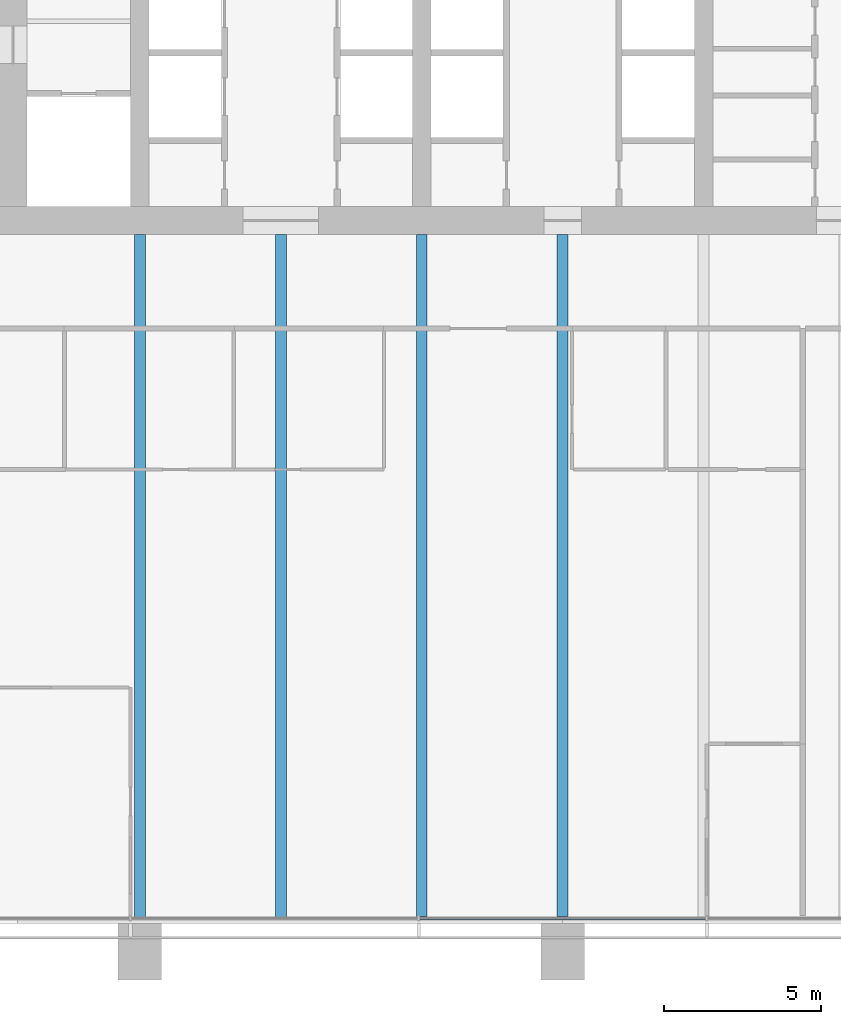
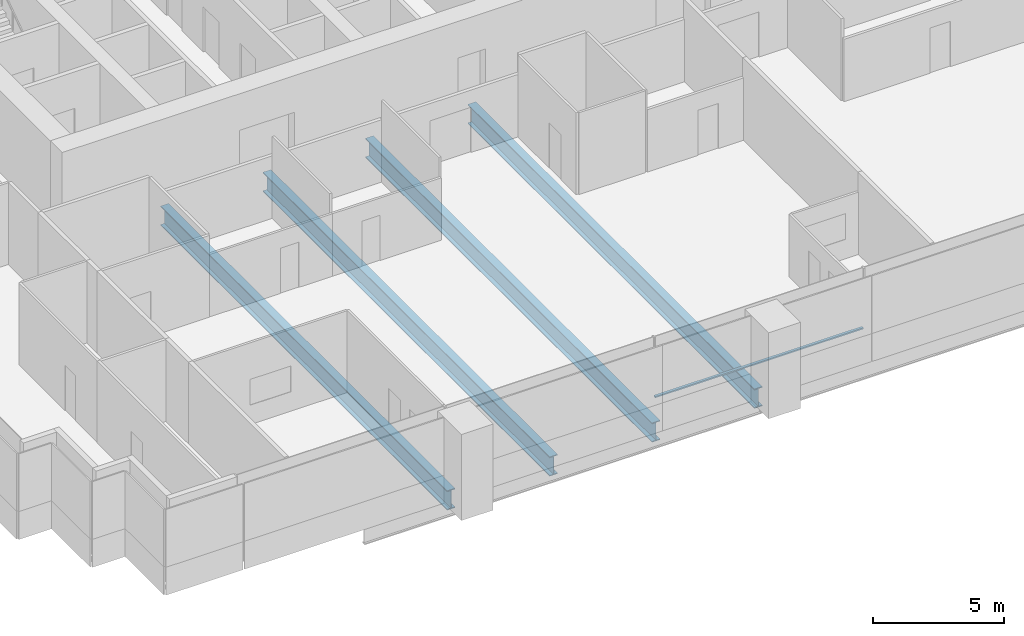
# One storey, part 3 of 18: 4 beams, 1 member, 1 element without a shape of its own.
"""IFC4 building model written with IfcOpenShell, lengths in metres."""

from ifc_helpers import new_model, si_unit, direction, frame, origin, origin_2d, place, context, subcontext, project, spatial, rectangle, i_section, extrude, material, material_profile, profile_set, type_object, element, aggregate, save


model = new_model("IFC4")

# Units and contexts
model_context = context("Model", 3, precision=1e-05, world=origin(), true_north=direction((0.0, 1.0)))
body_context = subcontext(model_context, "Body", "Model", "MODEL_VIEW")
ifc_project = project(units=[si_unit("LENGTHUNIT", "METRE"), si_unit("AREAUNIT", "SQUARE_METRE"), si_unit("VOLUMEUNIT", "CUBIC_METRE"), si_unit("PLANEANGLEUNIT", "RADIAN"), si_unit("MASSUNIT", "GRAM", prefix="KILO")], contexts=[model_context])

# Site, building, storey
site_placement = place(None, origin())
site = spatial("IfcSite", under=ifc_project, at=site_placement, CompositionType="ELEMENT")
building_placement = place(site_placement, origin())
building = spatial("IfcBuilding", under=site, at=building_placement, Name="Rattan Terrace Tower", CompositionType="ELEMENT")
storey_placement = place(building_placement, frame((0.0, 0.0, 134.10009765625)))
storey = spatial("IfcBuildingStorey", under=building, at=storey_placement, Name="L30", CompositionType="ELEMENT", Elevation=134.10009765625)

# Curtain wall, member
ifc_material_1 = material(Name="Aluminium and glass", Category="aluminium")
curtain_wall_type = type_object("IfcCurtainWallType", Name="Facade Unitised Curtain Wall", PredefinedType="NOTDEFINED", material=ifc_material_1)
curtain_wall_placement = place(storey_placement, origin())
curtain_wall = element("IfcCurtainWall", 1, at=curtain_wall_placement, inside=storey, type_object=curtain_wall_type, Name="Curtain wall L30-4", PredefinedType="NOTDEFINED")
ifc_material_2 = material(Name="Aluminium", Category="aluminium")
ifc_material_profile_1 = material_profile(ifc_material_2, rectangle(XDim=0.1201171875, YDim=0.06005859375, at=origin_2d()), Name="Aluminium 120x60")
ifc_profile_set_1 = profile_set([ifc_material_profile_1], Name="Aluminium")
member_type = type_object("IfcMemberType", Name="Facade CW Transom 120x60", PredefinedType="USERDEFINED", material=ifc_profile_set_1)
member_placement = place(storey_placement, frame((-4.568115234375, -29.330078125, 1.0), z_axis=(1.0, 0.0, 0.0), x_axis=(0.0, 1.0, 0.0)))
member = element("IfcMember", 2, at=member_placement, type_object=member_type, Name="Transom cwl-L30-004.3", ObjectType="TRANSOM", PredefinedType="USERDEFINED", context=body_context, shape_type="SweptSolid", body=[
    extrude(rectangle(XDim=0.1201171875, YDim=0.06005859375, at=origin_2d()), origin(), (0.0, 0.0, 1.0), 9.14111328125),
])
aggregate(curtain_wall, [member])

# Beams
ifc_material_3 = material(Name="Steel S460", Category="steel")
ifc_material_profile_2 = material_profile(ifc_material_3, i_section(OverallWidth=0.35009765625, OverallDepth=0.89990234375, WebThickness=0.013916015625, FlangeThickness=0.0400390625, at=origin_2d()), Name="PG 900x350-14-40")
ifc_profile_set_2 = profile_set([ifc_material_profile_2], Name="Steel S460")
beam_type = type_object("IfcBeamType", Name="Frame floor beam PG 900x350-14-40", PredefinedType="JOIST", material=ifc_profile_set_2)
for number, where, z_axis, x_axis, name in (
    (3, (-13.5, -29.320068359375, -0.650146484375), (0.0, 1.0, 0.0), (-1.0, 0.0, 0.0), "bm-L30-003"),
    (4, (-9.0, -29.320068359375, -0.650146484375), (0.0, 1.0, 0.0), (-1.0, 0.0, 0.0), "bm-L30-004"),
    (5, (-4.5, -29.320068359375, -0.650146484375), (0.0, 1.0, 0.0), (-1.0, 0.0, 0.0), "bm-L30-005"),
    (6, (0.0, -29.320068359375, -0.650146484375), (0.0, 1.0, 0.0), (-1.0, 0.0, 0.0), "bm-L30-006"),
):
    element("IfcBeam", number, at=place(storey_placement, frame(where, z_axis=z_axis, x_axis=x_axis)), inside=storey, type_object=beam_type, Name=name, PredefinedType="JOIST", context=body_context, shape_type="SweptSolid", body=[
        extrude(i_section(OverallWidth=0.35009765625, OverallDepth=0.89990234375, WebThickness=0.013916015625, FlangeThickness=0.0400390625, at=origin_2d()), origin(), (0.0, 0.0, 1.0), 21.820068359375),
    ])

save(model, "model.ifc")
